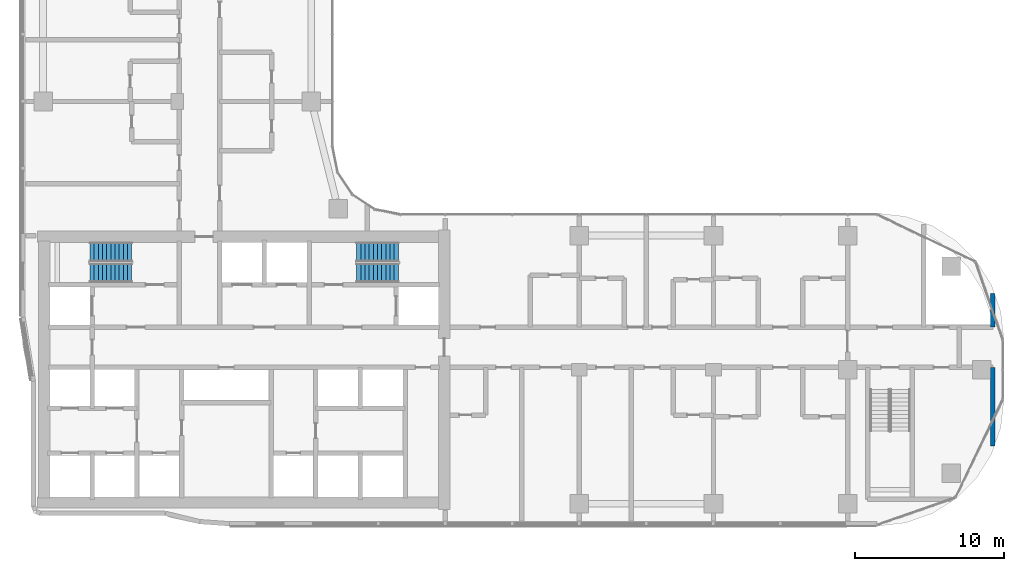
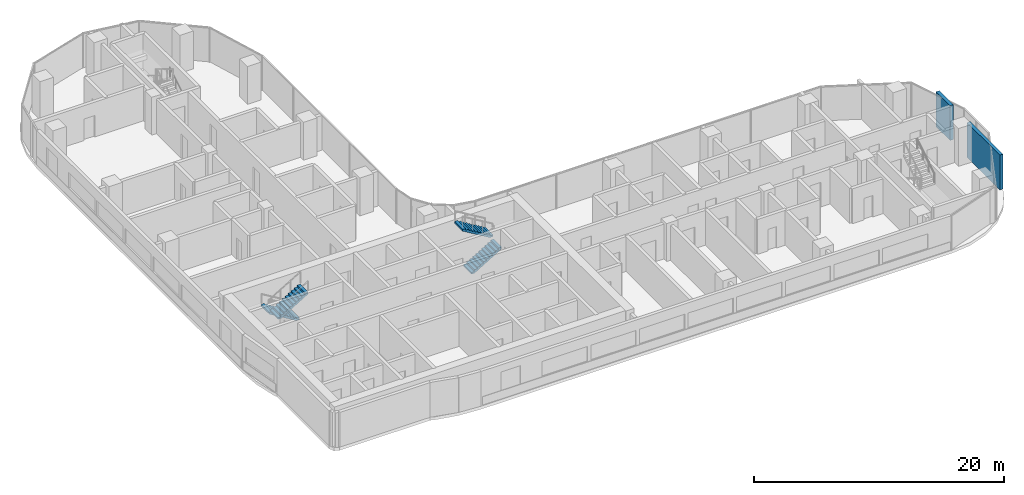
# One storey, part 14 of 22: 4 stair flights, 2 walls, 2 elements without a shape of their own.
"""IFC4 building model written with IfcOpenShell, lengths in metres."""

from ifc_helpers import new_model, si_unit, direction, frame, frame_2d, origin, place, context, subcontext, project, spatial, rectangle, extrude, triangles, source, transform, mapped, material, layer, layer_set, type_object, element, aggregate, save


model = new_model("IFC4")

# Units and contexts
model_context = context("Model", 3, precision=1e-05, world=origin(), true_north=direction((0.0, 1.0)))
body_context = subcontext(model_context, "Body", "Model", "MODEL_VIEW")
ifc_project = project(units=[si_unit("LENGTHUNIT", "METRE"), si_unit("AREAUNIT", "SQUARE_METRE"), si_unit("VOLUMEUNIT", "CUBIC_METRE"), si_unit("PLANEANGLEUNIT", "RADIAN"), si_unit("MASSUNIT", "GRAM", prefix="KILO")], contexts=[model_context])

# Site, building, storey
site_placement = place(None, origin())
site = spatial("IfcSite", under=ifc_project, at=site_placement, CompositionType="ELEMENT")
building_placement = place(site_placement, origin())
building = spatial("IfcBuilding", under=site, at=building_placement, Name="Ogive Portal Towers", CompositionType="ELEMENT")
storey_placement = place(building_placement, frame((0.0, 0.0, 113.0)))
storey = spatial("IfcBuildingStorey", under=building, at=storey_placement, Name="L27", CompositionType="ELEMENT", Elevation=113.0)

# Walls
ifc_material_1 = material(Name="Gypsum board partition on steel studs", Category="steel")
ifc_layer = layer(ifc_material_1, 0.300048828125)
ifc_layer_set = layer_set([ifc_layer], Name="WT-PART-300-EI 60")
wall_type = type_object("IfcWallType", Name="WT-PART-300-EI 60", PredefinedType="PARTITIONING", material=ifc_layer_set)
wall_1_placement = place(storey_placement, frame((95.25, 25.386962890625, 0.0), z_axis=(0.0, 0.0, 1.0), x_axis=(0.0, 1.0, 0.0)))
element("IfcWall", 1, at=wall_1_placement, inside=storey, type_object=wall_type, Name="Wall L27:w066", PredefinedType="PARTITIONING", context=body_context, shape_type="SweptSolid", body=[
    extrude(rectangle(XDim=5.262939453125, YDim=0.300048828125, at=frame_2d((2.63134765625, 0.0))), origin(), (0.0, 0.0, 1.0), 3.39990234375),
])
wall_2_placement = place(storey_placement, frame((95.25, 33.35009765625, 0.0), z_axis=(0.0, 0.0, 1.0), x_axis=(0.0, 1.0, 0.0)))
element("IfcWall", 2, at=wall_2_placement, inside=storey, type_object=wall_type, Name="Wall L27:w067", PredefinedType="PARTITIONING", context=body_context, shape_type="SweptSolid", body=[
    extrude(rectangle(XDim=2.262939453125, YDim=0.300048828125, at=frame_2d((1.13134765625, 0.0))), origin(), (0.0, 0.0, 1.0), 3.39990234375),
])

# Stair, stair flights
ifc_material_2 = material(Name="Concrete C40/50", Category="concrete")
stair_type = type_object("IfcStairType", Name="INT-STAIR", PredefinedType="HALF_TURN_STAIR", material=ifc_material_2)
stair_1_placement = place(storey_placement, origin())
stair_1 = element("IfcStair", 3, at=stair_1_placement, inside=storey, type_object=stair_type, Name="L27 Exit Stair ST-A1", PredefinedType="HALF_TURN_STAIR")
stair_flight_type = type_object("IfcStairFlightType", Name="INT-FLIGHT", PredefinedType="STRAIGHT", material=ifc_material_2)
shared_shape = source(origin(), body_context, "Body", "Tessellation", [
    triangles([(0.0, -0.650146484375, 0.0), (0.0, -0.376220703125, 0.0), (0.0, -0.192626953125, 0.0), (0.0, -0.081298828125, 0.0), (0.0, -0.024169921875, 0.0), (0.0, -0.003173828125, 0.0), (0.0, 0.0, 0.0), (0.0, 0.0029296875, 0.0), (0.0, 0.02392578125, 0.0), (0.0, 0.0810546875, 0.0), (0.0, 0.1923828125, 0.0), (0.0, 0.3759765625, 0.0), (0.0, 0.64990234375, 0.0), (0.0, -0.650146484375, 0.168212890625), (0.0, -0.376220703125, 0.168212890625), (0.0, -0.192626953125, 0.168212890625), (0.0, -0.081298828125, 0.168212890625), (0.0, -0.024169921875, 0.168212890625), (0.0, -0.003173828125, 0.168212890625), (0.0, 0.0, 0.168212890625), (0.0, 0.0029296875, 0.168212890625), (0.0, 0.02392578125, 0.168212890625), (0.0, 0.0810546875, 0.168212890625), (0.0, 0.1923828125, 0.168212890625), (0.0, 0.3759765625, 0.168212890625), (0.0, 0.64990234375, 0.168212890625), (0.280029296875, -0.650146484375, 0.168212890625), (0.280029296875, -0.376220703125, 0.168212890625), (0.280029296875, -0.192626953125, 0.168212890625), (0.280029296875, -0.081298828125, 0.168212890625), (0.280029296875, -0.024169921875, 0.168212890625), (0.280029296875, -0.003173828125, 0.168212890625), (0.280029296875, 0.0, 0.168212890625), (0.280029296875, 0.0029296875, 0.168212890625), (0.280029296875, 0.02392578125, 0.168212890625), (0.280029296875, 0.0810546875, 0.168212890625), (0.280029296875, 0.1923828125, 0.168212890625), (0.280029296875, 0.3759765625, 0.168212890625), (0.280029296875, 0.64990234375, 0.168212890625), (0.280029296875, -0.650146484375, 0.33642578125), (0.280029296875, -0.376220703125, 0.33642578125), (0.280029296875, -0.192626953125, 0.33642578125), (0.280029296875, -0.081298828125, 0.33642578125), (0.280029296875, -0.024169921875, 0.33642578125), (0.280029296875, -0.003173828125, 0.33642578125), (0.280029296875, 0.0, 0.33642578125), (0.280029296875, 0.0029296875, 0.33642578125), (0.280029296875, 0.02392578125, 0.33642578125), (0.280029296875, 0.0810546875, 0.33642578125), (0.280029296875, 0.1923828125, 0.33642578125), (0.280029296875, 0.3759765625, 0.33642578125), (0.280029296875, 0.64990234375, 0.33642578125), (0.56005859375, -0.650146484375, 0.33642578125), (0.56005859375, -0.376220703125, 0.33642578125), (0.56005859375, -0.192626953125, 0.33642578125), (0.56005859375, -0.081298828125, 0.33642578125), (0.56005859375, -0.024169921875, 0.33642578125), (0.56005859375, -0.003173828125, 0.33642578125), (0.56005859375, 0.0, 0.33642578125), (0.56005859375, 0.0029296875, 0.33642578125), (0.56005859375, 0.02392578125, 0.33642578125), (0.56005859375, 0.0810546875, 0.33642578125), (0.56005859375, 0.1923828125, 0.33642578125), (0.56005859375, 0.3759765625, 0.33642578125), (0.56005859375, 0.64990234375, 0.33642578125), (0.56005859375, -0.650146484375, 0.504638671875), (0.56005859375, -0.376220703125, 0.504638671875), (0.56005859375, -0.192626953125, 0.504638671875), (0.56005859375, -0.081298828125, 0.504638671875), (0.56005859375, -0.024169921875, 0.504638671875), (0.56005859375, -0.003173828125, 0.504638671875), (0.56005859375, 0.0, 0.504638671875), (0.56005859375, 0.0029296875, 0.504638671875), (0.56005859375, 0.02392578125, 0.504638671875), (0.56005859375, 0.0810546875, 0.504638671875), (0.56005859375, 0.1923828125, 0.504638671875), (0.56005859375, 0.3759765625, 0.504638671875), (0.56005859375, 0.64990234375, 0.504638671875), (0.840087890625, -0.650146484375, 0.504638671875), (0.840087890625, -0.376220703125, 0.504638671875), (0.840087890625, -0.192626953125, 0.504638671875), (0.840087890625, -0.081298828125, 0.504638671875), (0.840087890625, -0.024169921875, 0.504638671875), (0.840087890625, -0.003173828125, 0.504638671875), (0.840087890625, 0.0, 0.504638671875), (0.840087890625, 0.0029296875, 0.504638671875), (0.840087890625, 0.02392578125, 0.504638671875), (0.840087890625, 0.0810546875, 0.504638671875), (0.840087890625, 0.1923828125, 0.504638671875), (0.840087890625, 0.3759765625, 0.504638671875), (0.840087890625, 0.64990234375, 0.504638671875), (0.840087890625, -0.650146484375, 0.672607421875), (0.840087890625, -0.376220703125, 0.672607421875), (0.840087890625, -0.192626953125, 0.672607421875), (0.840087890625, -0.081298828125, 0.672607421875), (0.840087890625, -0.024169921875, 0.672607421875), (0.840087890625, -0.003173828125, 0.672607421875), (0.840087890625, 0.0, 0.672607421875), (0.840087890625, 0.0029296875, 0.672607421875), (0.840087890625, 0.02392578125, 0.672607421875), (0.840087890625, 0.0810546875, 0.672607421875), (0.840087890625, 0.1923828125, 0.672607421875), (0.840087890625, 0.3759765625, 0.672607421875), (0.840087890625, 0.64990234375, 0.672607421875), (1.1201171875, -0.650146484375, 0.672607421875), (1.1201171875, -0.376220703125, 0.672607421875), (1.1201171875, -0.192626953125, 0.672607421875), (1.1201171875, -0.081298828125, 0.672607421875), (1.1201171875, -0.024169921875, 0.672607421875), (1.1201171875, -0.003173828125, 0.672607421875), (1.1201171875, 0.0, 0.672607421875), (1.1201171875, 0.0029296875, 0.672607421875), (1.1201171875, 0.02392578125, 0.672607421875), (1.1201171875, 0.0810546875, 0.672607421875), (1.1201171875, 0.1923828125, 0.672607421875), (1.1201171875, 0.3759765625, 0.672607421875), (1.1201171875, 0.64990234375, 0.672607421875), (1.1201171875, -0.650146484375, 0.8408203125), (1.1201171875, -0.376220703125, 0.8408203125), (1.1201171875, -0.192626953125, 0.8408203125), (1.1201171875, -0.081298828125, 0.8408203125), (1.1201171875, -0.024169921875, 0.8408203125), (1.1201171875, -0.003173828125, 0.8408203125), (1.1201171875, 0.0, 0.8408203125), (1.1201171875, 0.0029296875, 0.8408203125), (1.1201171875, 0.02392578125, 0.8408203125), (1.1201171875, 0.0810546875, 0.8408203125), (1.1201171875, 0.1923828125, 0.8408203125), (1.1201171875, 0.3759765625, 0.8408203125), (1.1201171875, 0.64990234375, 0.8408203125), (1.39990234375, -0.650146484375, 0.8408203125), (1.39990234375, -0.376220703125, 0.8408203125), (1.39990234375, -0.192626953125, 0.8408203125), (1.39990234375, -0.081298828125, 0.8408203125), (1.39990234375, -0.024169921875, 0.8408203125), (1.39990234375, -0.003173828125, 0.8408203125), (1.39990234375, 0.0, 0.8408203125), (1.39990234375, 0.0029296875, 0.8408203125), (1.39990234375, 0.02392578125, 0.8408203125), (1.39990234375, 0.0810546875, 0.8408203125), (1.39990234375, 0.1923828125, 0.8408203125), (1.39990234375, 0.3759765625, 0.8408203125), (1.39990234375, 0.64990234375, 0.8408203125), (1.39990234375, -0.650146484375, 1.009033203125), (1.39990234375, -0.376220703125, 1.009033203125), (1.39990234375, -0.192626953125, 1.009033203125), (1.39990234375, -0.081298828125, 1.009033203125), (1.39990234375, -0.024169921875, 1.009033203125), (1.39990234375, -0.003173828125, 1.009033203125), (1.39990234375, 0.0, 1.009033203125), (1.39990234375, 0.0029296875, 1.009033203125), (1.39990234375, 0.02392578125, 1.009033203125), (1.39990234375, 0.0810546875, 1.009033203125), (1.39990234375, 0.1923828125, 1.009033203125), (1.39990234375, 0.3759765625, 1.009033203125), (1.39990234375, 0.64990234375, 1.009033203125), (1.679931640625, -0.650146484375, 1.009033203125), (1.679931640625, -0.376220703125, 1.009033203125), (1.679931640625, -0.192626953125, 1.009033203125), (1.679931640625, -0.081298828125, 1.009033203125), (1.679931640625, -0.024169921875, 1.009033203125), (1.679931640625, -0.003173828125, 1.009033203125), (1.679931640625, 0.0, 1.009033203125), (1.679931640625, 0.0029296875, 1.009033203125), (1.679931640625, 0.02392578125, 1.009033203125), (1.679931640625, 0.0810546875, 1.009033203125), (1.679931640625, 0.1923828125, 1.009033203125), (1.679931640625, 0.3759765625, 1.009033203125), (1.679931640625, 0.64990234375, 1.009033203125), (1.679931640625, -0.650146484375, 1.17724609375), (1.679931640625, -0.376220703125, 1.17724609375), (1.679931640625, -0.192626953125, 1.17724609375), (1.679931640625, -0.081298828125, 1.17724609375), (1.679931640625, -0.024169921875, 1.17724609375), (1.679931640625, -0.003173828125, 1.17724609375), (1.679931640625, 0.0, 1.17724609375), (1.679931640625, 0.0029296875, 1.17724609375), (1.679931640625, 0.02392578125, 1.17724609375), (1.679931640625, 0.0810546875, 1.17724609375), (1.679931640625, 0.1923828125, 1.17724609375), (1.679931640625, 0.3759765625, 1.17724609375), (1.679931640625, 0.64990234375, 1.17724609375), (1.9599609375, -0.650146484375, 1.17724609375), (1.9599609375, -0.376220703125, 1.17724609375), (1.9599609375, -0.192626953125, 1.17724609375), (1.9599609375, -0.081298828125, 1.17724609375), (1.9599609375, -0.024169921875, 1.17724609375), (1.9599609375, -0.003173828125, 1.17724609375), (1.9599609375, 0.0, 1.17724609375), (1.9599609375, 0.0029296875, 1.17724609375), (1.9599609375, 0.02392578125, 1.17724609375), (1.9599609375, 0.0810546875, 1.17724609375), (1.9599609375, 0.1923828125, 1.17724609375), (1.9599609375, 0.3759765625, 1.17724609375), (1.9599609375, 0.64990234375, 1.17724609375), (1.9599609375, -0.650146484375, 1.345458984375), (1.9599609375, -0.376220703125, 1.345458984375), (1.9599609375, -0.192626953125, 1.345458984375), (1.9599609375, -0.081298828125, 1.345458984375), (1.9599609375, -0.024169921875, 1.345458984375), (1.9599609375, -0.003173828125, 1.345458984375), (1.9599609375, 0.0, 1.345458984375), (1.9599609375, 0.0029296875, 1.345458984375), (1.9599609375, 0.02392578125, 1.345458984375), (1.9599609375, 0.0810546875, 1.345458984375), (1.9599609375, 0.1923828125, 1.345458984375), (1.9599609375, 0.3759765625, 1.345458984375), (1.9599609375, 0.64990234375, 1.345458984375), (2.239990234375, -0.650146484375, 1.345458984375), (2.239990234375, -0.376220703125, 1.345458984375), (2.239990234375, -0.192626953125, 1.345458984375), (2.239990234375, -0.081298828125, 1.345458984375), (2.239990234375, -0.024169921875, 1.345458984375), (2.239990234375, -0.003173828125, 1.345458984375), (2.239990234375, 0.0, 1.345458984375), (2.239990234375, 0.0029296875, 1.345458984375), (2.239990234375, 0.02392578125, 1.345458984375), (2.239990234375, 0.0810546875, 1.345458984375), (2.239990234375, 0.1923828125, 1.345458984375), (2.239990234375, 0.3759765625, 1.345458984375), (2.239990234375, 0.64990234375, 1.345458984375), (2.239990234375, -0.650146484375, 1.513671875), (2.239990234375, -0.376220703125, 1.513671875), (2.239990234375, -0.192626953125, 1.513671875), (2.239990234375, -0.081298828125, 1.513671875), (2.239990234375, -0.024169921875, 1.513671875), (2.239990234375, -0.003173828125, 1.513671875), (2.239990234375, 0.0, 1.513671875), (2.239990234375, 0.0029296875, 1.513671875), (2.239990234375, 0.02392578125, 1.513671875), (2.239990234375, 0.0810546875, 1.513671875), (2.239990234375, 0.1923828125, 1.513671875), (2.239990234375, 0.3759765625, 1.513671875), (2.239990234375, 0.64990234375, 1.513671875), (2.52001953125, -0.650146484375, 1.513671875), (2.52001953125, -0.376220703125, 1.513671875), (2.52001953125, -0.192626953125, 1.513671875), (2.52001953125, -0.081298828125, 1.513671875), (2.52001953125, -0.024169921875, 1.513671875), (2.52001953125, -0.003173828125, 1.513671875), (2.52001953125, 0.0, 1.513671875), (2.52001953125, 0.0029296875, 1.513671875), (2.52001953125, 0.02392578125, 1.513671875), (2.52001953125, 0.0810546875, 1.513671875), (2.52001953125, 0.1923828125, 1.513671875), (2.52001953125, 0.3759765625, 1.513671875), (2.52001953125, 0.64990234375, 1.513671875), (2.52001953125, -0.650146484375, 1.681884765625), (2.52001953125, -0.376220703125, 1.681884765625), (2.52001953125, -0.192626953125, 1.681884765625), (2.52001953125, -0.081298828125, 1.681884765625), (2.52001953125, -0.024169921875, 1.681884765625), (2.52001953125, -0.003173828125, 1.681884765625), (2.52001953125, 0.0, 1.681884765625), (2.52001953125, 0.0029296875, 1.681884765625), (2.52001953125, 0.02392578125, 1.681884765625), (2.52001953125, 0.0810546875, 1.681884765625), (2.52001953125, 0.1923828125, 1.681884765625), (2.52001953125, 0.3759765625, 1.681884765625), (2.52001953125, 0.64990234375, 1.681884765625), (2.800048828125, -0.650146484375, 1.681884765625), (2.800048828125, -0.376220703125, 1.681884765625), (2.800048828125, -0.192626953125, 1.681884765625), (2.800048828125, -0.081298828125, 1.681884765625), (2.800048828125, -0.024169921875, 1.681884765625), (2.800048828125, -0.003173828125, 1.681884765625), (2.800048828125, 0.0, 1.681884765625), (2.800048828125, 0.0029296875, 1.681884765625), (2.800048828125, 0.02392578125, 1.681884765625), (2.800048828125, 0.0810546875, 1.681884765625), (2.800048828125, 0.1923828125, 1.681884765625), (2.800048828125, 0.3759765625, 1.681884765625), (2.800048828125, 0.64990234375, 1.681884765625), (2.800048828125, -0.650146484375, 1.5068359375), (2.800048828125, -0.376220703125, 1.5068359375), (2.800048828125, -0.192626953125, 1.5068359375), (2.800048828125, -0.081298828125, 1.5068359375), (2.800048828125, -0.024169921875, 1.5068359375), (2.800048828125, -0.003173828125, 1.5068359375), (2.800048828125, 0.0, 1.5068359375), (2.800048828125, 0.0029296875, 1.5068359375), (2.800048828125, 0.02392578125, 1.5068359375), (2.800048828125, 0.0810546875, 1.5068359375), (2.800048828125, 0.1923828125, 1.5068359375), (2.800048828125, 0.3759765625, 1.5068359375), (2.800048828125, 0.64990234375, 1.5068359375), (0.291015625, -0.650146484375, 0.0), (0.291015625, -0.376220703125, 0.0), (0.291015625, -0.192626953125, 0.0), (0.291015625, -0.081298828125, 0.0), (0.291015625, -0.024169921875, 0.0), (0.291015625, -0.003173828125, 0.0), (0.291015625, 0.0, 0.0), (0.291015625, 0.0029296875, 0.0), (0.291015625, 0.02392578125, 0.0), (0.291015625, 0.0810546875, 0.0), (0.291015625, 0.1923828125, 0.0), (0.291015625, 0.3759765625, 0.0), (0.291015625, 0.64990234375, 0.0)], [[1, 14, 15], [1, 15, 2], [2, 15, 16], [2, 16, 3], [3, 16, 17], [3, 17, 4], [4, 17, 18], [4, 18, 5], [5, 18, 19], [5, 19, 6], [6, 19, 20], [6, 20, 7], [7, 20, 21], [7, 21, 8], [8, 21, 22], [8, 22, 9], [9, 22, 23], [9, 23, 10], [10, 23, 24], [10, 24, 11], [11, 24, 25], [11, 25, 12], [12, 25, 26], [12, 26, 13], [14, 27, 28], [14, 28, 15], [15, 28, 29], [15, 29, 16], [16, 29, 30], [16, 30, 17], [17, 30, 31], [17, 31, 18], [18, 31, 32], [18, 32, 19], [19, 32, 33], [19, 33, 20], [20, 33, 34], [20, 34, 21], [21, 34, 35], [21, 35, 22], [22, 35, 36], [22, 36, 23], [23, 36, 37], [23, 37, 24], [24, 37, 38], [24, 38, 25], [25, 38, 39], [25, 39, 26], [27, 40, 41], [27, 41, 28], [28, 41, 42], [28, 42, 29], [29, 42, 43], [29, 43, 30], [30, 43, 44], [30, 44, 31], [31, 44, 45], [31, 45, 32], [32, 45, 46], [32, 46, 33], [33, 46, 47], [33, 47, 34], [34, 47, 48], [34, 48, 35], [35, 48, 49], [35, 49, 36], [36, 49, 50], [36, 50, 37], [37, 50, 51], [37, 51, 38], [38, 51, 52], [38, 52, 39], [40, 53, 54], [40, 54, 41], [41, 54, 55], [41, 55, 42], [42, 55, 56], [42, 56, 43], [43, 56, 57], [43, 57, 44], [44, 57, 58], [44, 58, 45], [45, 58, 59], [45, 59, 46], [46, 59, 60], [46, 60, 47], [47, 60, 61], [47, 61, 48], [48, 61, 62], [48, 62, 49], [49, 62, 63], [49, 63, 50], [50, 63, 64], [50, 64, 51], [51, 64, 65], [51, 65, 52], [53, 66, 67], [53, 67, 54], [54, 67, 68], [54, 68, 55], [55, 68, 69], [55, 69, 56], [56, 69, 70], [56, 70, 57], [57, 70, 71], [57, 71, 58], [58, 71, 72], [58, 72, 59], [59, 72, 73], [59, 73, 60], [60, 73, 74], [60, 74, 61], [61, 74, 75], [61, 75, 62], [62, 75, 76], [62, 76, 63], [63, 76, 77], [63, 77, 64], [64, 77, 78], [64, 78, 65], [66, 79, 80], [66, 80, 67], [67, 80, 81], [67, 81, 68], [68, 81, 82], [68, 82, 69], [69, 82, 83], [69, 83, 70], [70, 83, 84], [70, 84, 71], [71, 84, 85], [71, 85, 72], [72, 85, 86], [72, 86, 73], [73, 86, 87], [73, 87, 74], [74, 87, 88], [74, 88, 75], [75, 88, 89], [75, 89, 76], [76, 89, 90], [76, 90, 77], [77, 90, 91], [77, 91, 78], [79, 92, 93], [79, 93, 80], [80, 93, 94], [80, 94, 81], [81, 94, 95], [81, 95, 82], [82, 95, 96], [82, 96, 83], [83, 96, 97], [83, 97, 84], [84, 97, 98], [84, 98, 85], [85, 98, 99], [85, 99, 86], [86, 99, 100], [86, 100, 87], [87, 100, 101], [87, 101, 88], [88, 101, 102], [88, 102, 89], [89, 102, 103], [89, 103, 90], [90, 103, 104], [90, 104, 91], [92, 105, 106], [92, 106, 93], [93, 106, 107], [93, 107, 94], [94, 107, 108], [94, 108, 95], [95, 108, 109], [95, 109, 96], [96, 109, 110], [96, 110, 97], [97, 110, 111], [97, 111, 98], [98, 111, 112], [98, 112, 99], [99, 112, 113], [99, 113, 100], [100, 113, 114], [100, 114, 101], [101, 114, 115], [101, 115, 102], [102, 115, 116], [102, 116, 103], [103, 116, 117], [103, 117, 104], [105, 118, 119], [105, 119, 106], [106, 119, 120], [106, 120, 107], [107, 120, 121], [107, 121, 108], [108, 121, 122], [108, 122, 109], [109, 122, 123], [109, 123, 110], [110, 123, 124], [110, 124, 111], [111, 124, 125], [111, 125, 112], [112, 125, 126], [112, 126, 113], [113, 126, 127], [113, 127, 114], [114, 127, 128], [114, 128, 115], [115, 128, 129], [115, 129, 116], [116, 129, 130], [116, 130, 117], [118, 131, 132], [118, 132, 119], [119, 132, 133], [119, 133, 120], [120, 133, 134], [120, 134, 121], [121, 134, 135], [121, 135, 122], [122, 135, 136], [122, 136, 123], [123, 136, 137], [123, 137, 124], [124, 137, 138], [124, 138, 125], [125, 138, 139], [125, 139, 126], [126, 139, 140], [126, 140, 127], [127, 140, 141], [127, 141, 128], [128, 141, 142], [128, 142, 129], [129, 142, 143], [129, 143, 130], [131, 144, 145], [131, 145, 132], [132, 145, 146], [132, 146, 133], [133, 146, 147], [133, 147, 134], [134, 147, 148], [134, 148, 135], [135, 148, 149], [135, 149, 136], [136, 149, 150], [136, 150, 137], [137, 150, 151], [137, 151, 138], [138, 151, 152], [138, 152, 139], [139, 152, 153], [139, 153, 140], [140, 153, 154], [140, 154, 141], [141, 154, 155], [141, 155, 142], [142, 155, 156], [142, 156, 143], [144, 157, 158], [144, 158, 145], [145, 158, 159], [145, 159, 146], [146, 159, 160], [146, 160, 147], [147, 160, 161], [147, 161, 148], [148, 161, 162], [148, 162, 149], [149, 162, 163], [149, 163, 150], [150, 163, 164], [150, 164, 151], [151, 164, 165], [151, 165, 152], [152, 165, 166], [152, 166, 153], [153, 166, 167], [153, 167, 154], [154, 167, 168], [154, 168, 155], [155, 168, 169], [155, 169, 156], [157, 170, 171], [157, 171, 158], [158, 171, 172], [158, 172, 159], [159, 172, 173], [159, 173, 160], [160, 173, 174], [160, 174, 161], [161, 174, 175], [161, 175, 162], [162, 175, 176], [162, 176, 163], [163, 176, 177], [163, 177, 164], [164, 177, 178], [164, 178, 165], [165, 178, 179], [165, 179, 166], [166, 179, 180], [166, 180, 167], [167, 180, 181], [167, 181, 168], [168, 181, 182], [168, 182, 169], [170, 183, 184], [170, 184, 171], [171, 184, 185], [171, 185, 172], [172, 185, 186], [172, 186, 173], [173, 186, 187], [173, 187, 174], [174, 187, 188], [174, 188, 175], [175, 188, 189], [175, 189, 176], [176, 189, 190], [176, 190, 177], [177, 190, 191], [177, 191, 178], [178, 191, 192], [178, 192, 179], [179, 192, 193], [179, 193, 180], [180, 193, 194], [180, 194, 181], [181, 194, 195], [181, 195, 182], [183, 196, 197], [183, 197, 184], [184, 197, 198], [184, 198, 185], [185, 198, 199], [185, 199, 186], [186, 199, 200], [186, 200, 187], [187, 200, 201], [187, 201, 188], [188, 201, 202], [188, 202, 189], [189, 202, 203], [189, 203, 190], [190, 203, 204], [190, 204, 191], [191, 204, 205], [191, 205, 192], [192, 205, 206], [192, 206, 193], [193, 206, 207], [193, 207, 194], [194, 207, 208], [194, 208, 195], [196, 209, 210], [196, 210, 197], [197, 210, 211], [197, 211, 198], [198, 211, 212], [198, 212, 199], [199, 212, 213], [199, 213, 200], [200, 213, 214], [200, 214, 201], [201, 214, 215], [201, 215, 202], [202, 215, 216], [202, 216, 203], [203, 216, 217], [203, 217, 204], [204, 217, 218], [204, 218, 205], [205, 218, 219], [205, 219, 206], [206, 219, 220], [206, 220, 207], [207, 220, 221], [207, 221, 208], [209, 222, 223], [209, 223, 210], [210, 223, 224], [210, 224, 211], [211, 224, 225], [211, 225, 212], [212, 225, 226], [212, 226, 213], [213, 226, 227], [213, 227, 214], [214, 227, 228], [214, 228, 215], [215, 228, 229], [215, 229, 216], [216, 229, 230], [216, 230, 217], [217, 230, 231], [217, 231, 218], [218, 231, 232], [218, 232, 219], [219, 232, 233], [219, 233, 220], [220, 233, 234], [220, 234, 221], [222, 235, 236], [222, 236, 223], [223, 236, 237], [223, 237, 224], [224, 237, 238], [224, 238, 225], [225, 238, 239], [225, 239, 226], [226, 239, 240], [226, 240, 227], [227, 240, 241], [227, 241, 228], [228, 241, 242], [228, 242, 229], [229, 242, 243], [229, 243, 230], [230, 243, 244], [230, 244, 231], [231, 244, 245], [231, 245, 232], [232, 245, 246], [232, 246, 233], [233, 246, 247], [233, 247, 234], [235, 248, 249], [235, 249, 236], [236, 249, 250], [236, 250, 237], [237, 250, 251], [237, 251, 238], [238, 251, 252], [238, 252, 239], [239, 252, 253], [239, 253, 240], [240, 253, 254], [240, 254, 241], [241, 254, 255], [241, 255, 242], [242, 255, 256], [242, 256, 243], [243, 256, 257], [243, 257, 244], [244, 257, 258], [244, 258, 245], [245, 258, 259], [245, 259, 246], [246, 259, 260], [246, 260, 247], [248, 261, 262], [248, 262, 249], [249, 262, 263], [249, 263, 250], [250, 263, 264], [250, 264, 251], [251, 264, 265], [251, 265, 252], [252, 265, 266], [252, 266, 253], [253, 266, 267], [253, 267, 254], [254, 267, 268], [254, 268, 255], [255, 268, 269], [255, 269, 256], [256, 269, 270], [256, 270, 257], [257, 270, 271], [257, 271, 258], [258, 271, 272], [258, 272, 259], [259, 272, 273], [259, 273, 260], [261, 274, 275], [261, 275, 262], [262, 275, 276], [262, 276, 263], [263, 276, 277], [263, 277, 264], [264, 277, 278], [264, 278, 265], [265, 278, 279], [265, 279, 266], [266, 279, 280], [266, 280, 267], [267, 280, 281], [267, 281, 268], [268, 281, 282], [268, 282, 269], [269, 282, 283], [269, 283, 270], [270, 283, 284], [270, 284, 271], [271, 284, 285], [271, 285, 272], [272, 285, 286], [272, 286, 273], [274, 287, 288], [274, 288, 275], [275, 288, 289], [275, 289, 276], [276, 289, 290], [276, 290, 277], [277, 290, 291], [277, 291, 278], [278, 291, 292], [278, 292, 279], [279, 292, 293], [279, 293, 280], [280, 293, 294], [280, 294, 281], [281, 294, 295], [281, 295, 282], [282, 295, 296], [282, 296, 283], [283, 296, 297], [283, 297, 284], [284, 297, 298], [284, 298, 285], [285, 298, 299], [285, 299, 286], [287, 1, 2], [287, 2, 288], [288, 2, 3], [288, 3, 289], [289, 3, 4], [289, 4, 290], [290, 4, 5], [290, 5, 291], [291, 5, 6], [291, 6, 292], [292, 6, 7], [292, 7, 293], [293, 7, 8], [293, 8, 294], [294, 8, 9], [294, 9, 295], [295, 9, 10], [295, 10, 296], [296, 10, 11], [296, 11, 297], [297, 11, 12], [297, 12, 298], [298, 12, 13], [298, 13, 299], [1, 287, 274], [13, 286, 299], [274, 261, 248], [286, 260, 273], [274, 248, 235], [286, 247, 260], [274, 235, 222], [286, 234, 247], [274, 222, 209], [286, 221, 234], [209, 196, 183], [221, 195, 208], [274, 209, 183], [286, 195, 221], [183, 170, 157], [195, 169, 182], [274, 183, 157], [286, 169, 195], [157, 144, 131], [169, 143, 156], [274, 157, 131], [286, 143, 169], [131, 118, 105], [143, 117, 130], [274, 131, 105], [286, 117, 143], [1, 274, 105], [13, 117, 286], [105, 92, 79], [117, 91, 104], [79, 66, 53], [91, 65, 78], [105, 79, 53], [117, 65, 91], [53, 40, 27], [65, 39, 52], [105, 53, 27], [117, 39, 65], [1, 105, 27], [13, 39, 117], [27, 14, 1], [39, 13, 26]], closed=True),
])
stair_flight_1_placement = place(storey_placement, frame((37.449951171875, 38.39990234375, 0.0), z_axis=(0.0, 0.0, 1.0), x_axis=(-1.0, 0.0, 0.0)))
stair_flight_1 = element("IfcStairFlight", 4, at=stair_flight_1_placement, type_object=stair_flight_type, Name="ST-A1 flight 1", NumberOfRisers=11, NumberOfTreads=10, PredefinedType="STRAIGHT", RiserHeight=0.168181818, TreadLength=0.28, context=body_context, shape_type="MappedRepresentation", body=[
    mapped(shared_shape, transform((0.0, 0.0, 0.0), scale=1.0)),
])
stair_flight_2_placement = place(storey_placement, frame((34.64990234375, 37.0, 1.85009765625), z_axis=(0.0, 0.0, 1.0), x_axis=(1.0, 0.0, 0.0)))
stair_flight_2 = element("IfcStairFlight", 5, at=stair_flight_2_placement, type_object=stair_flight_type, Name="ST-A1 flight 2", NumberOfRisers=11, NumberOfTreads=10, PredefinedType="STRAIGHT", RiserHeight=0.168181818, TreadLength=0.28, context=body_context, shape_type="MappedRepresentation", body=[
    mapped(shared_shape, transform((0.0, 0.0, 0.0), scale=1.0)),
])
aggregate(stair_1, [stair_flight_1, stair_flight_2])

stair_2_placement = place(storey_placement, origin())
stair_2 = element("IfcStair", 6, at=stair_2_placement, inside=storey, type_object=stair_type, Name="L27 Exit Stair ST-A2", PredefinedType="HALF_TURN_STAIR")
stair_flight_3_placement = place(storey_placement, frame((52.550048828125, 37.0, 0.0), z_axis=(0.0, 0.0, 1.0), x_axis=(1.0, 0.0, 0.0)))
stair_flight_3 = element("IfcStairFlight", 7, at=stair_flight_3_placement, type_object=stair_flight_type, Name="ST-A2 flight 1", NumberOfRisers=11, NumberOfTreads=10, PredefinedType="STRAIGHT", RiserHeight=0.168181818, TreadLength=0.28, context=body_context, shape_type="MappedRepresentation", body=[
    mapped(shared_shape, transform((0.0, 0.0, 0.0), scale=1.0)),
])
stair_flight_4_placement = place(storey_placement, frame((55.35009765625, 38.39990234375, 1.85009765625), z_axis=(0.0, 0.0, 1.0), x_axis=(-1.0, 0.0, 0.0)))
stair_flight_4 = element("IfcStairFlight", 8, at=stair_flight_4_placement, type_object=stair_flight_type, Name="ST-A2 flight 2", NumberOfRisers=11, NumberOfTreads=10, PredefinedType="STRAIGHT", RiserHeight=0.168181818, TreadLength=0.28, context=body_context, shape_type="MappedRepresentation", body=[
    mapped(shared_shape, transform((0.0, 0.0, 0.0), scale=1.0)),
])
aggregate(stair_2, [stair_flight_3, stair_flight_4])

save(model, "model.ifc")
